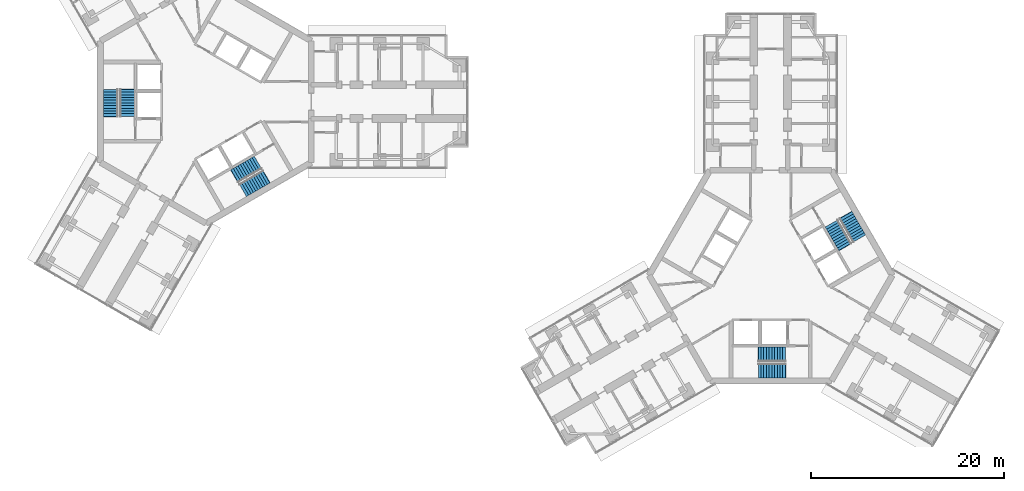
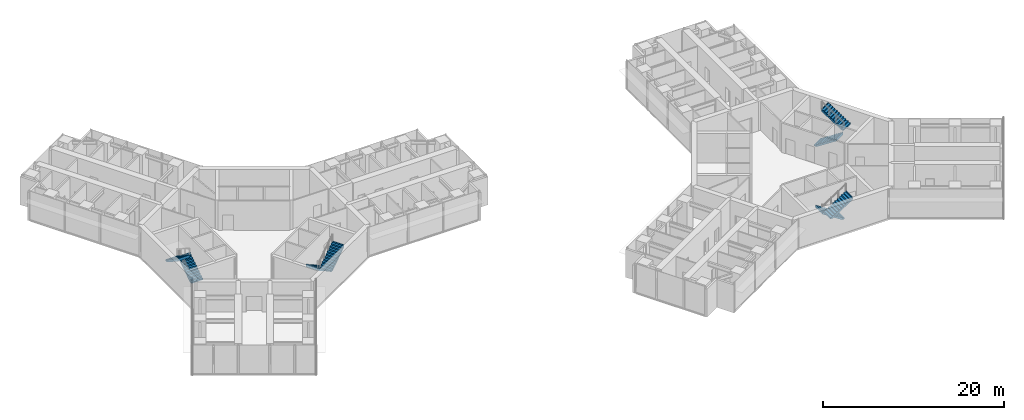
# One storey, part 21 of 22: 8 stair flights, 4 elements without a shape of their own.
"""IFC4 building model written with IfcOpenShell, lengths in metres."""

from ifc_helpers import new_model, si_unit, direction, frame, origin, place, context, subcontext, project, spatial, polyline, outline, extrude, material, type_object, element, aggregate, save


model = new_model("IFC4")

# Units and contexts
model_context = context("Model", 3, precision=1e-05, world=origin(), true_north=direction((0.0, 1.0)))
body_context = subcontext(model_context, "Body", "Model", "MODEL_VIEW")
ifc_project = project(units=[si_unit("LENGTHUNIT", "METRE"), si_unit("AREAUNIT", "SQUARE_METRE"), si_unit("VOLUMEUNIT", "CUBIC_METRE"), si_unit("PLANEANGLEUNIT", "RADIAN"), si_unit("MASSUNIT", "GRAM", prefix="KILO")], contexts=[model_context])

# Site, building, storey
site_placement = place(None, origin())
site = spatial("IfcSite", under=ifc_project, at=site_placement, CompositionType="ELEMENT")
building_placement = place(site_placement, origin())
building = spatial("IfcBuilding", under=site, at=building_placement, Name="Upepo Twin Towers", CompositionType="ELEMENT")
storey_placement = place(building_placement, frame((0.0, 0.0, 141.5)))
storey = spatial("IfcBuildingStorey", under=building, at=storey_placement, Name="L34", CompositionType="ELEMENT", Elevation=141.5)

# Stair, stair flights
ifc_material_1 = material(Name="Concrete C40/50", Category="concrete")
stair_type = type_object("IfcStairType", Name="Core stair, two flights", PredefinedType="HALF_TURN_STAIR", material=ifc_material_1)
stair_1_placement = place(storey_placement, origin())
stair_1 = element("IfcStair", 1, at=stair_1_placement, inside=storey, type_object=stair_type, Name="T1 stair S1 L34", PredefinedType="HALF_TURN_STAIR")
ifc_material_2 = material(Name="Concrete C40/50", Category="concrete")
stair_flight_type = type_object("IfcStairFlightType", Name="Stair flight 1500 RC", PredefinedType="STRAIGHT", material=ifc_material_2)
stair_flight_1_placement = place(storey_placement, frame((-8.14990234375, -1.52001953125, 0.0), z_axis=(0.0, 0.0, 1.0), x_axis=(0.0, 1.0, 0.0)))
stair_flight_1 = element("IfcStairFlight", 2, at=stair_flight_1_placement, type_object=stair_flight_type, Name="Stair S1 flight 1", NumberOfRisers=11, NumberOfTreads=10, PredefinedType="STRAIGHT", RiserHeight=0.181818182, TreadLength=0.28, context=body_context, shape_type="SweptSolid", body=[
    extrude(outline(polyline([(0.0, 0.0), (0.0, 0.181884765625), (0.280029296875, 0.181884765625), (0.280029296875, 0.363525390625), (0.56005859375, 0.363525390625), (0.56005859375, 0.54541015625), (0.840087890625, 0.54541015625), (0.840087890625, 0.727294921875), (1.1201171875, 0.727294921875), (1.1201171875, 0.9091796875), (1.39990234375, 0.9091796875), (1.39990234375, 1.0908203125), (1.679931640625, 1.0908203125), (1.679931640625, 1.272705078125), (1.9599609375, 1.272705078125), (1.9599609375, 1.45458984375), (2.239990234375, 1.45458984375), (2.239990234375, 1.636474609375), (2.52001953125, 1.636474609375), (2.52001953125, 1.818115234375), (2.800048828125, 1.818115234375), (2.800048828125, 2.0), (2.85009765625, 2.0), (2.85009765625, 1.639404296875), (0.3251953125, 0.0), (0.0, 0.0)])), frame((0.0, 0.75, 0.0), z_axis=(0.0, -1.0, 0.0), x_axis=(1.0, 0.0, 0.0)), (0.0, 0.0, 1.0), 1.5),
])
stair_flight_2_placement = place(storey_placement, frame((-9.8583984375, 1.280029296875, 2.0), z_axis=(0.0, 0.0, 1.0), x_axis=(0.0, -1.0, 0.0)))
stair_flight_2 = element("IfcStairFlight", 3, at=stair_flight_2_placement, type_object=stair_flight_type, Name="Stair S1 flight 2", NumberOfRisers=11, NumberOfTreads=10, PredefinedType="STRAIGHT", RiserHeight=0.181818182, TreadLength=0.28, context=body_context, shape_type="SweptSolid", body=[
    extrude(outline(polyline([(0.0, 0.0), (0.0, 0.181884765625), (0.280029296875, 0.181884765625), (0.280029296875, 0.363525390625), (0.56005859375, 0.363525390625), (0.56005859375, 0.54541015625), (0.840087890625, 0.54541015625), (0.840087890625, 0.727294921875), (1.1201171875, 0.727294921875), (1.1201171875, 0.9091796875), (1.39990234375, 0.9091796875), (1.39990234375, 1.0908203125), (1.679931640625, 1.0908203125), (1.679931640625, 1.272705078125), (1.9599609375, 1.272705078125), (1.9599609375, 1.45458984375), (2.239990234375, 1.45458984375), (2.239990234375, 1.636474609375), (2.52001953125, 1.636474609375), (2.52001953125, 1.818115234375), (2.800048828125, 1.818115234375), (2.800048828125, 2.0), (2.85009765625, 2.0), (2.85009765625, 1.639404296875), (0.3251953125, 0.0), (0.0, 0.0)])), frame((0.0, 0.75, 0.0), z_axis=(0.0, -1.0, 0.0), x_axis=(1.0, 0.0, 0.0)), (0.0, 0.0, 1.0), 1.5),
])
aggregate(stair_1, [stair_flight_1, stair_flight_2])

stair_2_placement = place(storey_placement, origin())
stair_2 = element("IfcStair", 4, at=stair_2_placement, inside=storey, type_object=stair_type, Name="T1 stair S2 L34", PredefinedType="HALF_TURN_STAIR")
stair_flight_3_placement = place(storey_placement, frame((5.391357421875, -6.298095703125, 0.0), z_axis=(0.0, 0.0, 1.0), x_axis=(-0.866025403784, -0.5, 0.0)))
stair_flight_3 = element("IfcStairFlight", 5, at=stair_flight_3_placement, type_object=stair_flight_type, Name="Stair S2 flight 1", NumberOfRisers=11, NumberOfTreads=10, PredefinedType="STRAIGHT", RiserHeight=0.181818182, TreadLength=0.28, context=body_context, shape_type="SweptSolid", body=[
    extrude(outline(polyline([(0.0, 0.0), (0.0, 0.181884765625), (0.280029296875, 0.181884765625), (0.280029296875, 0.363525390625), (0.56005859375, 0.363525390625), (0.56005859375, 0.54541015625), (0.840087890625, 0.54541015625), (0.840087890625, 0.727294921875), (1.1201171875, 0.727294921875), (1.1201171875, 0.9091796875), (1.39990234375, 0.9091796875), (1.39990234375, 1.0908203125), (1.679931640625, 1.0908203125), (1.679931640625, 1.272705078125), (1.9599609375, 1.272705078125), (1.9599609375, 1.45458984375), (2.239990234375, 1.45458984375), (2.239990234375, 1.636474609375), (2.52001953125, 1.636474609375), (2.52001953125, 1.818115234375), (2.800048828125, 1.818115234375), (2.800048828125, 2.0), (2.85009765625, 2.0), (2.85009765625, 1.639404296875), (0.3251953125, 0.0), (0.0, 0.0)])), frame((0.0, 0.75, 0.0), z_axis=(0.0, -1.0, 0.0), x_axis=(1.0, 0.0, 0.0)), (0.0, 0.0, 1.0), 1.5),
])
stair_flight_4_placement = place(storey_placement, frame((3.820556640625, -9.177490234375, 2.0), z_axis=(0.0, 0.0, 1.0), x_axis=(0.866025403784, 0.5, 0.0)))
stair_flight_4 = element("IfcStairFlight", 6, at=stair_flight_4_placement, type_object=stair_flight_type, Name="Stair S2 flight 2", NumberOfRisers=11, NumberOfTreads=10, PredefinedType="STRAIGHT", RiserHeight=0.181818182, TreadLength=0.28, context=body_context, shape_type="SweptSolid", body=[
    extrude(outline(polyline([(0.0, 0.0), (0.0, 0.181884765625), (0.280029296875, 0.181884765625), (0.280029296875, 0.363525390625), (0.56005859375, 0.363525390625), (0.56005859375, 0.54541015625), (0.840087890625, 0.54541015625), (0.840087890625, 0.727294921875), (1.1201171875, 0.727294921875), (1.1201171875, 0.9091796875), (1.39990234375, 0.9091796875), (1.39990234375, 1.0908203125), (1.679931640625, 1.0908203125), (1.679931640625, 1.272705078125), (1.9599609375, 1.272705078125), (1.9599609375, 1.45458984375), (2.239990234375, 1.45458984375), (2.239990234375, 1.636474609375), (2.52001953125, 1.636474609375), (2.52001953125, 1.818115234375), (2.800048828125, 1.818115234375), (2.800048828125, 2.0), (2.85009765625, 2.0), (2.85009765625, 1.639404296875), (0.3251953125, 0.0), (0.0, 0.0)])), frame((0.0, 0.75, 0.0), z_axis=(0.0, -1.0, 0.0), x_axis=(1.0, 0.0, 0.0)), (0.0, 0.0, 1.0), 1.5),
])
aggregate(stair_2, [stair_flight_3, stair_flight_4])

stair_3_placement = place(storey_placement, origin())
stair_3 = element("IfcStair", 7, at=stair_3_placement, inside=storey, type_object=stair_type, Name="T2 stair S1 L34", PredefinedType="HALF_TURN_STAIR")
stair_flight_5_placement = place(storey_placement, frame((60.02001953125, -26.14990234375, 0.0), z_axis=(0.0, 0.0, 1.0), x_axis=(-1.0, 0.0, 0.0)))
stair_flight_5 = element("IfcStairFlight", 8, at=stair_flight_5_placement, type_object=stair_flight_type, Name="Stair S1 flight 1", NumberOfRisers=11, NumberOfTreads=10, PredefinedType="STRAIGHT", RiserHeight=0.181818182, TreadLength=0.28, context=body_context, shape_type="SweptSolid", body=[
    extrude(outline(polyline([(0.0, 0.0), (0.0, 0.181884765625), (0.280029296875, 0.181884765625), (0.280029296875, 0.363525390625), (0.56005859375, 0.363525390625), (0.56005859375, 0.54541015625), (0.840087890625, 0.54541015625), (0.840087890625, 0.727294921875), (1.1201171875, 0.727294921875), (1.1201171875, 0.9091796875), (1.39990234375, 0.9091796875), (1.39990234375, 1.0908203125), (1.679931640625, 1.0908203125), (1.679931640625, 1.272705078125), (1.9599609375, 1.272705078125), (1.9599609375, 1.45458984375), (2.239990234375, 1.45458984375), (2.239990234375, 1.636474609375), (2.52001953125, 1.636474609375), (2.52001953125, 1.818115234375), (2.800048828125, 1.818115234375), (2.800048828125, 2.0), (2.85009765625, 2.0), (2.85009765625, 1.639404296875), (0.3251953125, 0.0), (0.0, 0.0)])), frame((0.0, 0.75, 0.0), z_axis=(0.0, -1.0, 0.0), x_axis=(1.0, 0.0, 0.0)), (0.0, 0.0, 1.0), 1.5),
])
stair_flight_6_placement = place(storey_placement, frame((57.219970703125, -27.8583984375, 2.0), z_axis=(0.0, 0.0, 1.0), x_axis=(1.0, 0.0, 0.0)))
stair_flight_6 = element("IfcStairFlight", 9, at=stair_flight_6_placement, type_object=stair_flight_type, Name="Stair S1 flight 2", NumberOfRisers=11, NumberOfTreads=10, PredefinedType="STRAIGHT", RiserHeight=0.181818182, TreadLength=0.28, context=body_context, shape_type="SweptSolid", body=[
    extrude(outline(polyline([(0.0, 0.0), (0.0, 0.181884765625), (0.280029296875, 0.181884765625), (0.280029296875, 0.363525390625), (0.56005859375, 0.363525390625), (0.56005859375, 0.54541015625), (0.840087890625, 0.54541015625), (0.840087890625, 0.727294921875), (1.1201171875, 0.727294921875), (1.1201171875, 0.9091796875), (1.39990234375, 0.9091796875), (1.39990234375, 1.0908203125), (1.679931640625, 1.0908203125), (1.679931640625, 1.272705078125), (1.9599609375, 1.272705078125), (1.9599609375, 1.45458984375), (2.239990234375, 1.45458984375), (2.239990234375, 1.636474609375), (2.52001953125, 1.636474609375), (2.52001953125, 1.818115234375), (2.800048828125, 1.818115234375), (2.800048828125, 2.0), (2.85009765625, 2.0), (2.85009765625, 1.639404296875), (0.3251953125, 0.0), (0.0, 0.0)])), frame((0.0, 0.75, 0.0), z_axis=(0.0, -1.0, 0.0), x_axis=(1.0, 0.0, 0.0)), (0.0, 0.0, 1.0), 1.5),
])
aggregate(stair_3, [stair_flight_5, stair_flight_6])

stair_4_placement = place(storey_placement, origin())
stair_4 = element("IfcStair", 10, at=stair_4_placement, inside=storey, type_object=stair_type, Name="T2 stair S2 L34", PredefinedType="HALF_TURN_STAIR")
stair_flight_7_placement = place(storey_placement, frame((64.798095703125, -12.608642578125, 0.0), z_axis=(0.0, 0.0, 1.0), x_axis=(0.5, -0.866025403784, 0.0)))
stair_flight_7 = element("IfcStairFlight", 11, at=stair_flight_7_placement, type_object=stair_flight_type, Name="Stair S2 flight 1", NumberOfRisers=11, NumberOfTreads=10, PredefinedType="STRAIGHT", RiserHeight=0.181818182, TreadLength=0.28, context=body_context, shape_type="SweptSolid", body=[
    extrude(outline(polyline([(0.0, 0.0), (0.0, 0.181884765625), (0.280029296875, 0.181884765625), (0.280029296875, 0.363525390625), (0.56005859375, 0.363525390625), (0.56005859375, 0.54541015625), (0.840087890625, 0.54541015625), (0.840087890625, 0.727294921875), (1.1201171875, 0.727294921875), (1.1201171875, 0.9091796875), (1.39990234375, 0.9091796875), (1.39990234375, 1.0908203125), (1.679931640625, 1.0908203125), (1.679931640625, 1.272705078125), (1.9599609375, 1.272705078125), (1.9599609375, 1.45458984375), (2.239990234375, 1.45458984375), (2.239990234375, 1.636474609375), (2.52001953125, 1.636474609375), (2.52001953125, 1.818115234375), (2.800048828125, 1.818115234375), (2.800048828125, 2.0), (2.85009765625, 2.0), (2.85009765625, 1.639404296875), (0.3251953125, 0.0), (0.0, 0.0)])), frame((0.0, 0.75, 0.0), z_axis=(0.0, -1.0, 0.0), x_axis=(1.0, 0.0, 0.0)), (0.0, 0.0, 1.0), 1.5),
])
stair_flight_8_placement = place(storey_placement, frame((67.677490234375, -14.179443359375, 2.0), z_axis=(0.0, 0.0, 1.0), x_axis=(-0.5, 0.866025403784, 0.0)))
stair_flight_8 = element("IfcStairFlight", 12, at=stair_flight_8_placement, type_object=stair_flight_type, Name="Stair S2 flight 2", NumberOfRisers=11, NumberOfTreads=10, PredefinedType="STRAIGHT", RiserHeight=0.181818182, TreadLength=0.28, context=body_context, shape_type="SweptSolid", body=[
    extrude(outline(polyline([(0.0, 0.0), (0.0, 0.181884765625), (0.280029296875, 0.181884765625), (0.280029296875, 0.363525390625), (0.56005859375, 0.363525390625), (0.56005859375, 0.54541015625), (0.840087890625, 0.54541015625), (0.840087890625, 0.727294921875), (1.1201171875, 0.727294921875), (1.1201171875, 0.9091796875), (1.39990234375, 0.9091796875), (1.39990234375, 1.0908203125), (1.679931640625, 1.0908203125), (1.679931640625, 1.272705078125), (1.9599609375, 1.272705078125), (1.9599609375, 1.45458984375), (2.239990234375, 1.45458984375), (2.239990234375, 1.636474609375), (2.52001953125, 1.636474609375), (2.52001953125, 1.818115234375), (2.800048828125, 1.818115234375), (2.800048828125, 2.0), (2.85009765625, 2.0), (2.85009765625, 1.639404296875), (0.3251953125, 0.0), (0.0, 0.0)])), frame((0.0, 0.75, 0.0), z_axis=(0.0, -1.0, 0.0), x_axis=(1.0, 0.0, 0.0)), (0.0, 0.0, 1.0), 1.5),
])
aggregate(stair_4, [stair_flight_7, stair_flight_8])

save(model, "model.ifc")
